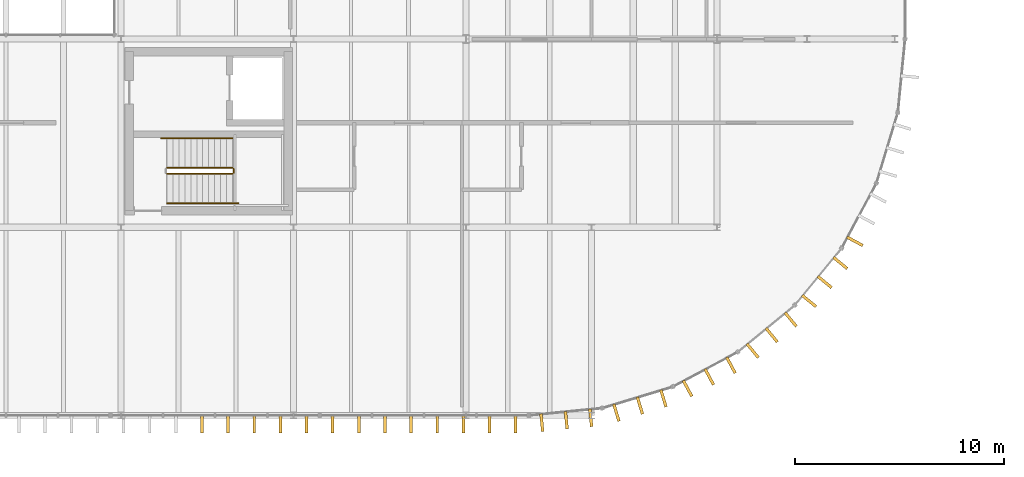
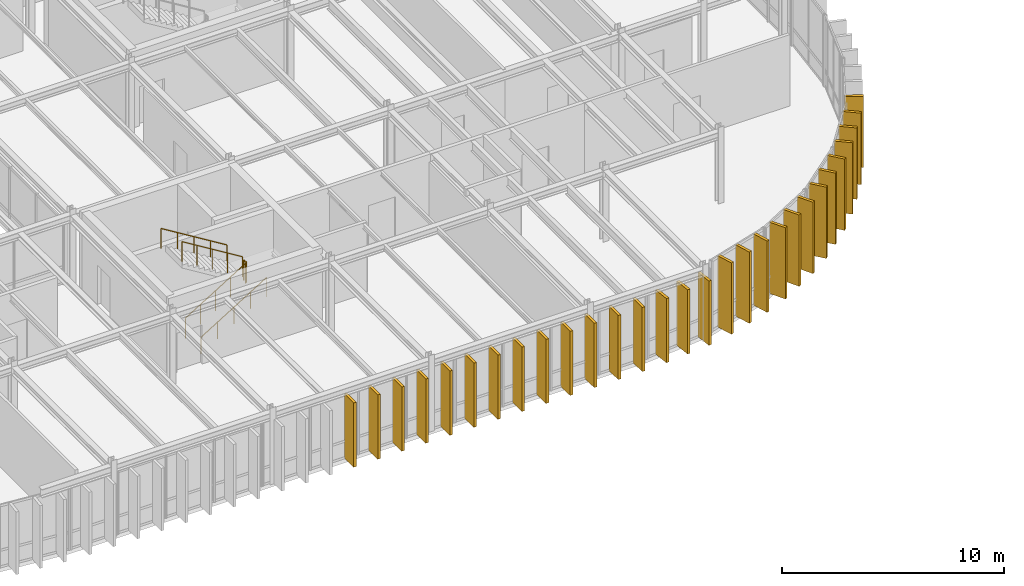
# One storey, part 25 of 27: 29 coverings, 5 railings.
"""IFC4 building model written with IfcOpenShell, lengths in metres."""

import ifcopenshell
import ifcopenshell.guid

model = None  # the IFC model being written
_history = None  # IfcOwnerHistory: only IFC2X3 demands one
_inside = {}  # id of a spatial element -> (the spatial element, [elements in it])
_under = {}  # id of a project, library or spatial element -> (it, [spatial elements below it])
_declared = {}  # id of a project -> (the project, [libraries it declares])
_typed = {}  # id of a type object -> (the type object, [elements of that type])
_made_of = {}  # id of a material, layer set ... -> (it, [elements and type objects made of it])


def new_model(schema):
    """Start an empty IFC model of exactly this schema.

    Asked for "IFC4X3", IfcOpenShell would pick the latest addendum, in which some entities
    have other attributes; the version numbers below select the first issue.
    IFC2X3 requires an IfcOwnerHistory on every rooted entity: one is made here for all.
    """
    global model, _history
    if schema == "IFC4X3":
        model = ifcopenshell.file(schema_version=(4, 3, 0, 0))
    else:
        model = ifcopenshell.file(schema=schema)
    _inside.clear()
    _under.clear()
    _declared.clear()
    _typed.clear()
    _made_of.clear()
    _history = None
    if model.schema == "IFC2X3":
        org = make("IfcOrganization", Name="unknown")
        user = make(
            "IfcPersonAndOrganization",
            ThePerson=make("IfcPerson", FamilyName="unknown"),
            TheOrganization=org,
        )
        app = make(
            "IfcApplication",
            ApplicationDeveloper=org,
            Version="unknown",
            ApplicationFullName="unknown",
            ApplicationIdentifier="unknown",
        )
        _history = make(
            "IfcOwnerHistory",
            OwningUser=user,
            OwningApplication=app,
            ChangeAction="ADDED",
            CreationDate=0,
        )
    return model


def make(cls, **values):
    """One entity of the class cls with the attributes given. An attribute that is None is left unset."""
    return model.create_entity(
        cls, **{name: value for name, value in values.items() if value is not None}
    )


def rooted(cls, **values):
    """An entity with a GlobalId (a new one), such as an element, a storey or a relation."""
    return make(cls, GlobalId=ifcopenshell.guid.new(), OwnerHistory=_history, **values)


def si_unit(unit_type, name, prefix=None):
    """IfcSIUnit, for example si_unit("LENGTHUNIT", "METRE", prefix="MILLI")."""
    return make("IfcSIUnit", UnitType=unit_type, Prefix=prefix, Name=name)


def assignment(units):
    """IfcUnitAssignment: the units of a project."""
    return None if units is None else make("IfcUnitAssignment", Units=units)


def point(xyz):
    """IfcCartesianPoint."""
    return None if xyz is None else make("IfcCartesianPoint", Coordinates=xyz)


def direction(xyz):
    """IfcDirection."""
    return None if xyz is None else make("IfcDirection", DirectionRatios=xyz)


def frame(location, z_axis=None, x_axis=None):
    """IfcAxis2Placement3D, a coordinate frame: its origin and axes. An axis left out is left unset."""
    return make(
        "IfcAxis2Placement3D",
        Location=point(location),
        Axis=direction(z_axis),
        RefDirection=direction(x_axis),
    )


def frame_2d(location, x_axis=None):
    """IfcAxis2Placement2D, a coordinate frame in the plane: its origin and x axis."""
    return make(
        "IfcAxis2Placement2D", Location=point(location), RefDirection=direction(x_axis)
    )


def origin():
    """The frame at (0, 0, 0) with its axes left unset."""
    return frame((0.0, 0.0, 0.0))


def origin_2d():
    """The frame at (0, 0) in the plane with its x axis left unset."""
    return frame_2d((0.0, 0.0))


def place(relative_to, where):
    """IfcLocalPlacement: puts the frame where relative to a parent placement (None: the world)."""
    return make(
        "IfcLocalPlacement", PlacementRelTo=relative_to, RelativePlacement=where
    )


def context(
    kind, dimensions, precision=None, world=None, true_north=None, identifier=None
):
    """IfcGeometricRepresentationContext, for example the 3D "Model" context."""
    return make(
        "IfcGeometricRepresentationContext",
        ContextIdentifier=identifier,
        ContextType=kind,
        CoordinateSpaceDimension=dimensions,
        Precision=precision,
        WorldCoordinateSystem=world,
        TrueNorth=true_north,
    )


def subcontext(parent, identifier, kind, view, scale=None):
    """IfcGeometricRepresentationSubContext, for example "Body" below "Model"."""
    return make(
        "IfcGeometricRepresentationSubContext",
        ContextIdentifier=identifier,
        ContextType=kind,
        ParentContext=parent,
        TargetScale=scale,
        TargetView=view,
    )


def project(units=None, contexts=None):
    """IfcProject with its units and contexts."""
    return rooted(
        "IfcProject",
        Name="project",
        RepresentationContexts=contexts,
        UnitsInContext=assignment(units),
    )


def spatial(cls, under=None, at=None, **own):
    """A site, building, storey or space (cls), placed at a placement, below another one or the project."""
    s = rooted(cls, ObjectPlacement=at, **own)
    if under is not None:
        _under.setdefault(under.id(), (under, []))[1].append(s)
    return s


def profile(cls, at=None, kind="AREA", **sizes):
    """A parametric profile (cls). Its sizes go by their IFC names, for example OverallWidth=200.0."""
    return make(cls, ProfileType=kind, Position=at, **sizes)


def rectangle(**sizes):
    """IfcRectangleProfileDef."""
    return profile("IfcRectangleProfileDef", **sizes)


def circle(**sizes):
    """IfcCircleProfileDef."""
    return profile("IfcCircleProfileDef", **sizes)


def extrude(swept, where, along, depth):
    """IfcExtrudedAreaSolid: the profile swept, set in the frame where, extruded along a direction by depth."""
    return make(
        "IfcExtrudedAreaSolid",
        SweptArea=swept,
        Position=where,
        ExtrudedDirection=direction(along),
        Depth=depth,
    )


def shape(context_of_items, identifier, shape_type, items):
    """IfcShapeRepresentation: the items that make up one representation, for example the "Body"."""
    return make(
        "IfcShapeRepresentation",
        ContextOfItems=context_of_items,
        RepresentationIdentifier=identifier,
        RepresentationType=shape_type,
        Items=items,
    )


def material(Name=None, Category=None):
    """IfcMaterial."""
    return make("IfcMaterial", Name=Name, Category=Category)


def layer(
    of_material, thickness, ventilated=None, Name=None, Category=None, Priority=None
):
    """IfcMaterialLayer: one layer of a wall or slab, of a material (None: an air gap)."""
    return make(
        "IfcMaterialLayer",
        Material=of_material,
        LayerThickness=thickness,
        IsVentilated=ventilated,
        Name=Name,
        Category=Category,
        Priority=Priority,
    )


def layer_set(layers, Name=None):
    """IfcMaterialLayerSet."""
    return make("IfcMaterialLayerSet", MaterialLayers=layers, LayerSetName=Name)


def made_of(thing, what):
    """Note that an element or type object is made of a material, layer set ...; save() writes the relation."""
    if what is not None:
        _made_of.setdefault(what.id(), (what, []))[1].append(thing)
    return thing


def type_object(cls, material=None, **own):
    """A type object (cls), such as IfcWallType, which elements share."""
    return made_of(rooted(cls, **own), material)


def element(
    cls,
    number,
    at=None,
    inside=None,
    cuts=None,
    type_object=None,
    material=None,
    context=None,
    identifier="Body",
    shape_type=None,
    held_by="IfcProductDefinitionShape",
    body=None,
    shapes=None,
    **own,
):
    """One element of the class cls, such as IfcWall. Its Tag is "e" and its number.

    at: its placement. inside: the storey or other place that contains it. cuts: it is an
    opening in that element (IfcRelVoidsElement). A single representation is given by context,
    identifier, shape_type and body (its items); several are given by shapes. held_by: the class
    of the entity that holds the representations. save() writes the other relations.
    """
    e = rooted(cls, Tag="e%d" % number, ObjectPlacement=at, **own)
    if body is not None:
        shapes = [shape(context, identifier, shape_type, body)]
    if shapes is not None:
        e.Representation = make(held_by, Representations=shapes)
    if inside is not None:
        _inside.setdefault(inside.id(), (inside, []))[1].append(e)
    if cuts is not None:
        rooted(
            "IfcRelVoidsElement", RelatingBuildingElement=cuts, RelatedOpeningElement=e
        )
    if type_object is not None:
        _typed.setdefault(type_object.id(), (type_object, []))[1].append(e)
    return made_of(e, material)


def aggregate(whole, parts):
    """IfcRelAggregates: a whole, such as a stair, and the parts it consists of."""
    return rooted("IfcRelAggregates", RelatingObject=whole, RelatedObjects=parts)


def save(model, path):
    """Write the relations noted so far, then the file.

    IfcRelAggregates (storeys below a building ...), IfcRelContainedInSpatialStructure (elements
    in a storey), IfcRelDefinesByType, IfcRelAssociatesMaterial and IfcRelDeclares: one each for
    every whole, place, type object, material and project.
    """
    for whole, parts in _under.values():
        aggregate(whole, parts)
    for where, things in _inside.values():
        rooted(
            "IfcRelContainedInSpatialStructure",
            RelatedElements=things,
            RelatingStructure=where,
        )
    for kind, things in _typed.values():
        rooted("IfcRelDefinesByType", RelatedObjects=things, RelatingType=kind)
    for what, things in _made_of.values():
        rooted("IfcRelAssociatesMaterial", RelatedObjects=things, RelatingMaterial=what)
    for by, libraries in _declared.values():
        rooted("IfcRelDeclares", RelatingContext=by, RelatedDefinitions=libraries)
    model.write(path)


model = new_model("IFC4")

# Units and contexts
model_context = context("Model", 3, precision=1e-05, world=origin(), true_north=direction((0.0, 1.0)))
body_context = subcontext(model_context, "Body", "Model", "MODEL_VIEW")
ifc_project = project(units=[si_unit("LENGTHUNIT", "METRE"), si_unit("AREAUNIT", "SQUARE_METRE"), si_unit("VOLUMEUNIT", "CUBIC_METRE"), si_unit("PLANEANGLEUNIT", "RADIAN"), si_unit("MASSUNIT", "GRAM", prefix="KILO")], contexts=[model_context])

# Site, building, storey
site_placement = place(None, origin())
site = spatial("IfcSite", under=ifc_project, at=site_placement, CompositionType="ELEMENT")
building_placement = place(site_placement, origin())
building = spatial("IfcBuilding", under=site, at=building_placement, Name="Montealbar Specialist Clinic", CompositionType="ELEMENT")
storey_placement = place(building_placement, frame((0.0, 0.0, 18.0)))
storey = spatial("IfcBuildingStorey", under=building, at=storey_placement, Name="L04", CompositionType="ELEMENT", Elevation=18.0)

# Coverings
ifc_material_1 = material(Name="Thermally modified timber cladding", Category="wood")
ifc_layer_1 = layer(ifc_material_1, 0.139892578125, Name="Thermally modified timber cladding", Category="wood")
ifc_layer_set_1 = layer_set([ifc_layer_1], Name="Thermally modified timber cladding")
covering_type = type_object("IfcCoveringType", Name="COV-FIN-TIMBER-850", PredefinedType="CLADDING", material=ifc_layer_set_1)
for number, where, z_axis, x_axis, name in (
    (1, (117.595947265625, 8.330078125, 0.0), (0.0, 0.0, 1.0), (0.881850411644, -0.471529268958, 0.0), "Vertical Timber Solar Fin CF-L04-0316"),
    (2, (116.902099609375, 7.2919921875, 0.0), (0.0, 0.0, 1.0), (0.773123255923, -0.634255808922, 0.0), "Vertical Timber Solar Fin CF-L04-0317"),
    (3, (116.156005859375, 6.382080078125, 0.0), (0.0, 0.0, 1.0), (0.773123255923, -0.634255808922, 0.0), "Vertical Timber Solar Fin CF-L04-0318"),
    (4, (115.409912109375, 5.472900390625, 0.0), (0.0, 0.0, 1.0), (0.773123255923, -0.634255808922, 0.0), "Vertical Timber Solar Fin CF-L04-0319"),
    (5, (114.527099609375, 4.590087890625, 0.0), (0.0, 0.0, 1.0), (0.634255808922, -0.773123255923, 0.0), "Vertical Timber Solar Fin CF-L04-0320"),
    (6, (113.617919921875, 3.843994140625, 0.0), (0.0, 0.0, 1.0), (0.634255808922, -0.773123255923, 0.0), "Vertical Timber Solar Fin CF-L04-0321"),
    (7, (112.7080078125, 3.097900390625, 0.0), (0.0, 0.0, 1.0), (0.634255808922, -0.773123255923, 0.0), "Vertical Timber Solar Fin CF-L04-0322"),
    (8, (111.669921875, 2.404052734375, 0.0), (0.0, 0.0, 1.0), (0.471529268958, -0.881850411644, 0.0), "Vertical Timber Solar Fin CF-L04-0323"),
    (9, (110.633056640625, 1.84912109375, 0.0), (0.0, 0.0, 1.0), (0.471529268958, -0.881850411644, 0.0), "Vertical Timber Solar Fin CF-L04-0324"),
    (10, (109.594970703125, 1.294921875, 0.0), (0.0, 0.0, 1.0), (0.471529268958, -0.881850411644, 0.0), "Vertical Timber Solar Fin CF-L04-0325"),
    (11, (108.44091796875, 0.81689453125, 0.0), (0.0, 0.0, 1.0), (0.290259134399, -0.956948083701, 0.0), "Vertical Timber Solar Fin CF-L04-0326"),
    (12, (107.31591796875, 0.47509765625, 0.0), (0.0, 0.0, 1.0), (0.290259134399, -0.956948083701, 0.0), "Vertical Timber Solar Fin CF-L04-0327"),
    (13, (106.19091796875, 0.134033203125, 0.0), (0.0, 0.0, 1.0), (0.290259134399, -0.956948083701, 0.0), "Vertical Timber Solar Fin CF-L04-0328"),
):
    element("IfcCovering", number, at=place(storey_placement, frame(where, z_axis=z_axis, x_axis=x_axis)), inside=storey, type_object=covering_type, Name=name, PredefinedType="CLADDING", context=body_context, shape_type="SweptSolid", body=[
        extrude(rectangle(XDim=0.85009765625, YDim=0.139892578125, at=origin_2d()), origin(), (0.0, 0.0, 1.0), 3.919921875),
    ])
for number, where, z_axis, x_axis, name in (
    (14, (104.966064453125, -0.110107421875, 0.0), (0.0, 0.0, 1.0), (0.098044697094, -0.995182012183, 0.0), "Vertical Timber Solar Fin CF-L04-0329"),
    (15, (103.794921875, -0.22509765625, 0.0), (0.0, 0.0, 1.0), (0.098044697094, -0.995182012183, 0.0), "Vertical Timber Solar Fin CF-L04-0330"),
    (16, (102.625, -0.340087890625, 0.0), (0.0, 0.0, 1.0), (0.098044697094, -0.995182012183, 0.0), "Vertical Timber Solar Fin CF-L04-0331"),
    (17, (101.375, -0.39990234375, 0.0), (0.0, 0.0, 1.0), (0.0, -1.0, 0.0), "Vertical Timber Solar Fin CF-L04-0332"),
    (18, (100.125, -0.39990234375, 0.0), (0.0, 0.0, 1.0), (0.0, -1.0, 0.0), "Vertical Timber Solar Fin CF-L04-0333"),
    (19, (98.875, -0.39990234375, 0.0), (0.0, 0.0, 1.0), (0.0, -1.0, 0.0), "Vertical Timber Solar Fin CF-L04-0334"),
    (20, (97.625, -0.39990234375, 0.0), (0.0, 0.0, 1.0), (0.0, -1.0, 0.0), "Vertical Timber Solar Fin CF-L04-0335"),
    (21, (96.375, -0.39990234375, 0.0), (0.0, 0.0, 1.0), (0.0, -1.0, 0.0), "Vertical Timber Solar Fin CF-L04-0336"),
    (22, (95.125, -0.39990234375, 0.0), (0.0, 0.0, 1.0), (0.0, -1.0, 0.0), "Vertical Timber Solar Fin CF-L04-0337"),
    (23, (93.875, -0.39990234375, 0.0), (0.0, 0.0, 1.0), (0.0, -1.0, 0.0), "Vertical Timber Solar Fin CF-L04-0338"),
    (24, (92.625, -0.39990234375, 0.0), (0.0, 0.0, 1.0), (0.0, -1.0, 0.0), "Vertical Timber Solar Fin CF-L04-0339"),
    (25, (91.375, -0.39990234375, 0.0), (0.0, 0.0, 1.0), (0.0, -1.0, 0.0), "Vertical Timber Solar Fin CF-L04-0340"),
    (26, (90.125, -0.39990234375, 0.0), (0.0, 0.0, 1.0), (0.0, -1.0, 0.0), "Vertical Timber Solar Fin CF-L04-0341"),
    (27, (88.875, -0.39990234375, 0.0), (0.0, 0.0, 1.0), (0.0, -1.0, 0.0), "Vertical Timber Solar Fin CF-L04-0342"),
    (28, (87.625, -0.39990234375, 0.0), (0.0, 0.0, 1.0), (0.0, -1.0, 0.0), "Vertical Timber Solar Fin CF-L04-0343"),
    (29, (86.375, -0.39990234375, 0.0), (0.0, 0.0, 1.0), (0.0, -1.0, 0.0), "Vertical Timber Solar Fin CF-L04-0344"),
):
    element("IfcCovering", number, at=place(storey_placement, frame(where, z_axis=z_axis, x_axis=x_axis)), inside=storey, type_object=covering_type, Name=name, PredefinedType="CLADDING", context=body_context, shape_type="SweptSolid", body=[
        extrude(rectangle(XDim=0.85009765625, YDim=0.139892578125, at=origin_2d()), origin(), (0.0, 0.0, 1.0), 3.530029296875),
    ])

# Railings
ifc_material_2 = material(Name="Steel S355", Category="steel")
ifc_layer_2 = layer(ifc_material_2, 0.050048828125, Name="Steel S355", Category="steel")
ifc_layer_set_2 = layer_set([ifc_layer_2], Name="Steel S355")
railing_type_1 = type_object("IfcRailingType", Name="RAIL-STAIR-BAL-1100", PredefinedType="BALUSTRADE", material=ifc_layer_set_2)
railing_1_placement = place(storey_placement, frame((84.699951171875, 11.550048828125, 0.175048828125)))
element("IfcRailing", 30, at=railing_1_placement, inside=storey, type_object=railing_type_1, Name="L04 ST-04 stair guard 1", PredefinedType="BALUSTRADE", context=body_context, shape_type="SweptSolid", body=[
    extrude(circle(Radius=0.02392578125, at=origin_2d()), frame((0.0, 0.0, 1.076171875), z_axis=(0.852166034122, 0.0, 0.523271488128), x_axis=(0.0, 1.0, 0.0)), (0.0, 0.0, 1.0), 3.678955078125),
    extrude(circle(Radius=0.02099609375, at=origin_2d()), frame((0.0, 0.0, -0.02490234375)), (0.0, 0.0, 1.0), 1.076904296875),
    extrude(circle(Radius=0.02099609375, at=origin_2d()), frame((0.78369140625, 0.0, 0.456298828125)), (0.0, 0.0, 1.0), 1.076904296875),
    extrude(circle(Radius=0.02099609375, at=origin_2d()), frame((1.5673828125, 0.0, 0.9375)), (0.0, 0.0, 1.0), 1.076904296875),
    extrude(circle(Radius=0.02099609375, at=origin_2d()), frame((2.351318359375, 0.0, 1.418701171875)), (0.0, 0.0, 1.0), 1.076904296875),
    extrude(circle(Radius=0.02099609375, at=origin_2d()), frame((3.135009765625, 0.0, 1.900146484375)), (0.0, 0.0, 1.0), 1.076904296875),
])
railing_2_placement = place(storey_placement, frame((87.885009765625, 11.60009765625, 2.10009765625)))
element("IfcRailing", 31, at=railing_2_placement, inside=storey, type_object=railing_type_1, Name="L04 ST-04 stair guard 2", PredefinedType="BALUSTRADE", context=body_context, shape_type="SweptSolid", body=[
    extrude(circle(Radius=0.02392578125, at=origin_2d()), frame((0.0, 0.0, 1.076171875), z_axis=(0.0, 1.0, 0.0), x_axis=(-1.0, 0.0, 0.0)), (0.0, 0.0, 1.0), 0.199951171875),
    extrude(circle(Radius=0.02099609375, at=origin_2d()), frame((0.0, 0.0, -0.02490234375)), (0.0, 0.0, 1.0), 1.076904296875),
    extrude(circle(Radius=0.02099609375, at=origin_2d()), frame((0.0, 0.199951171875, -0.02490234375)), (0.0, 0.0, 1.0), 1.076904296875),
])
railing_3_placement = place(storey_placement, frame((87.8349609375, 11.85009765625, 2.27490234375)))
element("IfcRailing", 32, at=railing_3_placement, inside=storey, type_object=railing_type_1, Name="L04 ST-04 stair guard 3", PredefinedType="BALUSTRADE", context=body_context, shape_type="SweptSolid", body=[
    extrude(circle(Radius=0.02392578125, at=origin_2d()), frame((0.0, 0.0, 1.076171875), z_axis=(-0.852166034122, 0.0, 0.523271488128), x_axis=(0.0, -1.0, 0.0)), (0.0, 0.0, 1.0), 3.678955078125),
    extrude(circle(Radius=0.02099609375, at=origin_2d()), frame((0.0, 0.0, -0.02490234375)), (0.0, 0.0, 1.0), 1.076904296875),
    extrude(circle(Radius=0.02099609375, at=origin_2d()), frame((-0.78369140625, 0.0, 0.456298828125)), (0.0, 0.0, 1.0), 1.076904296875),
    extrude(circle(Radius=0.02099609375, at=origin_2d()), frame((-1.5673828125, 0.0, 0.9375)), (0.0, 0.0, 1.0), 1.076904296875),
    extrude(circle(Radius=0.02099609375, at=origin_2d()), frame((-2.351318359375, 0.0, 1.418701171875)), (0.0, 0.0, 1.0), 1.076904296875),
    extrude(circle(Radius=0.02099609375, at=origin_2d()), frame((-3.135009765625, 0.0, 1.900146484375)), (0.0, 0.0, 1.0), 1.076904296875),
])
ifc_layer_3 = layer(ifc_material_2, 0.044921875, Name="Steel S355", Category="steel")
ifc_layer_set_3 = layer_set([ifc_layer_3], Name="Steel S355")
railing_type_2 = type_object("IfcRailingType", Name="RAIL-STAIR-HR-900", PredefinedType="HANDRAIL", material=ifc_layer_set_3)
railing_4_placement = place(storey_placement, frame((84.699951171875, 10.14990234375, 0.175048828125)))
element("IfcRailing", 33, at=railing_4_placement, inside=storey, type_object=railing_type_2, Name="L04 ST-04 stair handrail 1", PredefinedType="HANDRAIL", context=body_context, shape_type="SweptSolid", body=[
    extrude(circle(Radius=0.02392578125, at=origin_2d()), frame((0.0, 0.0, 0.8759765625), z_axis=(0.852198826108, 0.0, 0.523218081473), x_axis=(0.0, 1.0, 0.0)), (0.0, 0.0, 1.0), 4.013427734375),
    extrude(circle(Radius=0.02099609375, at=origin_2d()), frame((0.0, 0.0, -0.02490234375)), (0.0, 0.0, 1.0), 0.876708984375),
    extrude(circle(Radius=0.02099609375, at=origin_2d()), frame((0.85498046875, 0.0, 0.5)), (0.0, 0.0, 1.0), 0.876708984375),
    extrude(circle(Radius=0.02099609375, at=origin_2d()), frame((1.7099609375, 0.0, 1.02490234375)), (0.0, 0.0, 1.0), 0.876708984375),
    extrude(circle(Radius=0.02099609375, at=origin_2d()), frame((2.565185546875, 0.0, 1.5498046875)), (0.0, 0.0, 1.0), 0.876708984375),
    extrude(circle(Radius=0.02099609375, at=origin_2d()), frame((3.420166015625, 0.0, 1.89990234375)), (0.0, 0.0, 1.0), 1.0517578125),
])
railing_5_placement = place(storey_placement, frame((87.8349609375, 13.25, 2.27490234375)))
element("IfcRailing", 34, at=railing_5_placement, inside=storey, type_object=railing_type_2, Name="L04 ST-04 stair handrail 2", PredefinedType="HANDRAIL", context=body_context, shape_type="SweptSolid", body=[
    extrude(circle(Radius=0.02392578125, at=origin_2d()), frame((0.0, 0.0, 0.8759765625), z_axis=(-0.852155044755, 0.0, 0.523289384279), x_axis=(0.0, -1.0, 0.0)), (0.0, 0.0, 1.0), 4.01318359375),
    extrude(circle(Radius=0.02099609375, at=origin_2d()), frame((0.0, 0.0, -0.02490234375)), (0.0, 0.0, 1.0), 0.876708984375),
    extrude(circle(Radius=0.02099609375, at=origin_2d()), frame((-0.85498046875, 0.0, 0.5)), (0.0, 0.0, 1.0), 0.876708984375),
    extrude(circle(Radius=0.02099609375, at=origin_2d()), frame((-1.7099609375, 0.0, 1.025146484375)), (0.0, 0.0, 1.0), 0.876708984375),
    extrude(circle(Radius=0.02099609375, at=origin_2d()), frame((-2.56494140625, 0.0, 1.550048828125)), (0.0, 0.0, 1.0), 0.876708984375),
    extrude(circle(Radius=0.02099609375, at=origin_2d()), frame((-3.419921875, 0.0, 1.900146484375)), (0.0, 0.0, 1.0), 1.0517578125),
])

save(model, "model.ifc")
